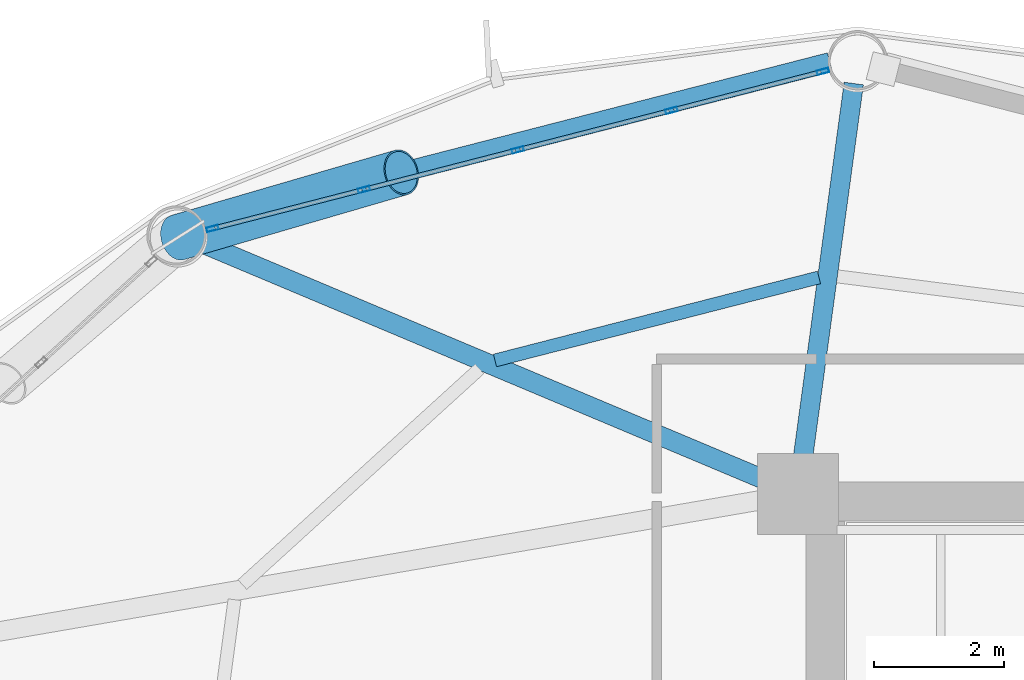
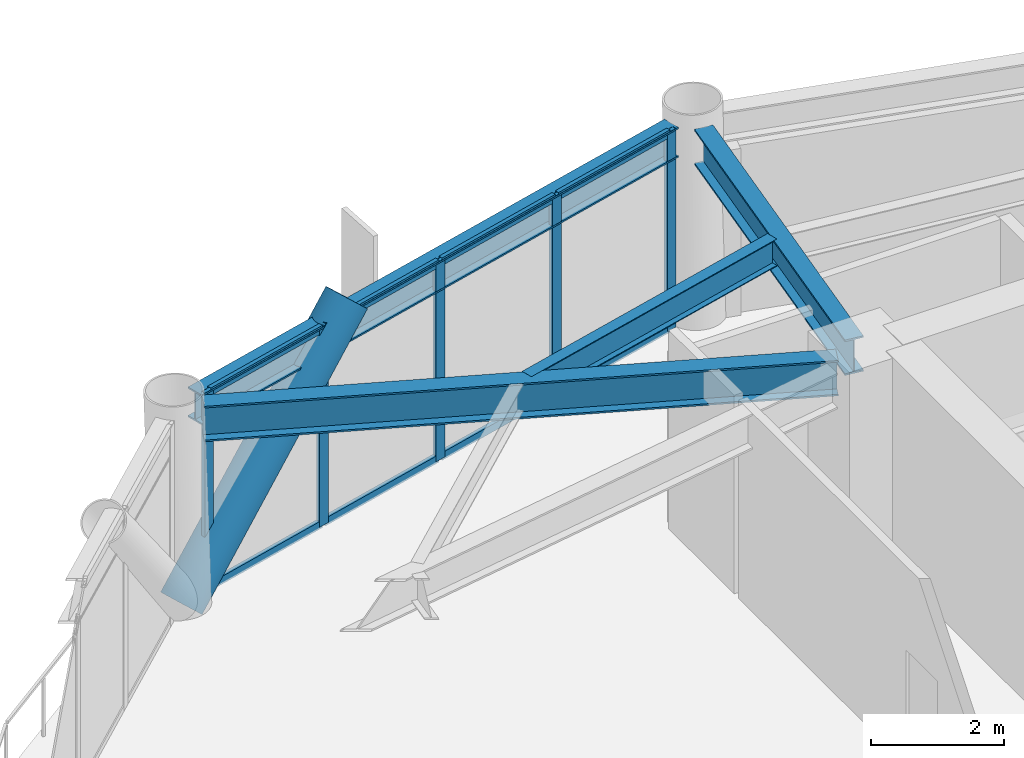
# One storey, part 17 of 26: 14 members, 4 beams, 1 element without a shape of its own.
"""IFC4 building model written with IfcOpenShell, lengths in metres."""

from ifc_helpers import new_model, si_unit, direction, frame, origin, origin_2d, place, context, subcontext, project, spatial, hollow_rectangle, hollow_circle, i_section, extrude, material, layer, layer_set, material_profile, profile_set, type_object, element, aggregate, save


model = new_model("IFC4")

# Units and contexts
model_context = context("Model", 3, precision=1e-05, world=origin(), true_north=direction((0.0, 1.0)))
body_context = subcontext(model_context, "Body", "Model", "MODEL_VIEW")
ifc_project = project(units=[si_unit("LENGTHUNIT", "METRE"), si_unit("AREAUNIT", "SQUARE_METRE"), si_unit("VOLUMEUNIT", "CUBIC_METRE"), si_unit("PLANEANGLEUNIT", "RADIAN"), si_unit("MASSUNIT", "GRAM", prefix="KILO")], contexts=[model_context])

# Site, building, storey
site_placement = place(None, origin())
site = spatial("IfcSite", under=ifc_project, at=site_placement, CompositionType="ELEMENT")
building_placement = place(site_placement, origin())
building = spatial("IfcBuilding", under=site, at=building_placement, Name="Varnakorn Sky Granary", CompositionType="ELEMENT")
storey_placement = place(building_placement, frame((0.0, 0.0, 51.0)))
storey = spatial("IfcBuildingStorey", under=building, at=storey_placement, Name="L12", CompositionType="ELEMENT", Elevation=51.0)

# Beams
ifc_material_1 = material(Name="Steel S355JR", Category="steel")
ifc_material_profile_1 = material_profile(ifc_material_1, i_section(OverallWidth=0.300048828125, OverallDepth=0.64990234375, WebThickness=0.01611328125, FlangeThickness=0.031005859375, at=origin_2d()), Name="HE 650 B")
ifc_profile_set_1 = profile_set([ifc_material_profile_1], Name="Steel S355JR")
beam_type_1 = type_object("IfcBeamType", Name="BM-RAD-Z1", PredefinedType="BEAM", material=ifc_profile_set_1)
beam_1_placement = place(storey_placement, frame((-2.36328125, 13.0361328125, 3.31494140625), z_axis=(0.134687789737, 0.990888086161, 0.0), x_axis=(-0.990888086161, 0.134687789737, 0.0)))
element("IfcBeam", 1, at=beam_1_placement, inside=storey, type_object=beam_type_1, Name="Radial Floor Girder RG04 L12", PredefinedType="BEAM", context=body_context, shape_type="SweptSolid", body=[
    extrude(i_section(OverallWidth=0.300048828125, OverallDepth=0.64990234375, WebThickness=0.01611328125, FlangeThickness=0.031005859375, at=origin_2d()), origin(), (0.0, 0.0, 1.0), 5.96728515625),
])
beam_2_placement = place(storey_placement, frame((-2.80712890625, 12.78271484375, 3.31494140625), z_axis=(-0.921838328081, 0.387574633949, 0.0), x_axis=(-0.387574633949, -0.921838328081, 0.0)))
element("IfcBeam", 2, at=beam_2_placement, inside=storey, type_object=beam_type_1, Name="Radial Floor Girder RG05 L12", PredefinedType="BEAM", context=body_context, shape_type="SweptSolid", body=[
    extrude(i_section(OverallWidth=0.300048828125, OverallDepth=0.64990234375, WebThickness=0.01611328125, FlangeThickness=0.031005859375, at=origin_2d()), origin(), (0.0, 0.0, 1.0), 9.594970703125),
])
ifc_material_profile_2 = material_profile(ifc_material_1, i_section(OverallWidth=0.199951171875, OverallDepth=0.5, WebThickness=0.01025390625, FlangeThickness=0.01611328125, at=origin_2d()), Name="IPE 500")
ifc_profile_set_2 = profile_set([ifc_material_profile_2], Name="Steel S355JR")
beam_type_2 = type_object("IfcBeamType", Name="BM-SEC-Z1", PredefinedType="BEAM", material=ifc_profile_set_2)
beam_3_placement = place(storey_placement, frame((-2.09716796875, 15.957763671875, 3.389892578125), z_axis=(-0.968686052287, -0.248288807852, 0.0), x_axis=(0.248288807852, -0.968686052287, 0.0)))
element("IfcBeam", 3, at=beam_3_placement, inside=storey, type_object=beam_type_2, Name="Secondary Floor Chord Beam MSB04 L12", PredefinedType="BEAM", context=body_context, shape_type="SweptSolid", body=[
    extrude(i_section(OverallWidth=0.199951171875, OverallDepth=0.5, WebThickness=0.01025390625, FlangeThickness=0.01611328125, at=origin_2d()), origin(), (0.0, 0.0, 1.0), 5.158447265625),
])
ifc_material_profile_3 = material_profile(ifc_material_1, i_section(OverallWidth=0.300048828125, OverallDepth=0.550048828125, WebThickness=0.014892578125, FlangeThickness=0.029052734375, at=origin_2d()), Name="HE 550 B")
ifc_profile_set_3 = profile_set([ifc_material_profile_3], Name="Steel S355JR")
beam_type_3 = type_object("IfcBeamType", Name="BM-SPD-Z1", PredefinedType="SPANDREL", material=ifc_profile_set_3)
beam_4_placement = place(storey_placement, frame((-1.927978515625, 19.277099609375, 3.364990234375), z_axis=(-0.968511401947, -0.248969203515, 0.0), x_axis=(0.248969203515, -0.968511401947, 0.0)))
element("IfcBeam", 4, at=beam_4_placement, inside=storey, type_object=beam_type_3, Name="Perimeter Spandrel Ring Beam RB04 L12", PredefinedType="SPANDREL", context=body_context, shape_type="SweptSolid", body=[
    extrude(i_section(OverallWidth=0.300048828125, OverallDepth=0.550048828125, WebThickness=0.014892578125, FlangeThickness=0.029052734375, at=origin_2d()), origin(), (0.0, 0.0, 1.0), 10.018798828125),
])

# Curtain wall, members
ifc_material_2 = material(Name="Anodised Bronze Aluminium Alloy 6063-T6", Category="aluminium")
ifc_layer = layer(ifc_material_2, 0.18994140625, Name="Anodised Bronze Aluminium Alloy 6063-T6")
ifc_layer_set = layer_set([ifc_layer], Name="Anodised Bronze Aluminium Alloy 6063-T6")
curtain_wall_type = type_object("IfcCurtainWallType", Name="CW-FRM-1", PredefinedType="USERDEFINED", material=ifc_layer_set)
curtain_wall_placement = place(storey_placement, origin())
curtain_wall = element("IfcCurtainWall", 5, at=curtain_wall_placement, inside=storey, type_object=curtain_wall_type, Name="Unitised Curtain Wall CW3 CW-L12-B04", ObjectType="CURTAIN WALL", PredefinedType="USERDEFINED")
ifc_material_profile_4 = material_profile(ifc_material_2, hollow_rectangle(XDim=0.070068359375, YDim=0.18505859375, WallThickness=0.00390625, at=origin_2d()), Name="ALU MULL 70x185")
ifc_profile_set_4 = profile_set([ifc_material_profile_4], Name="Anodised Bronze Aluminium Alloy 6063-T6")
member_type_1 = type_object("IfcMemberType", Name="CW-FRM-1-MULL", PredefinedType="MULLION", material=ifc_profile_set_4)
member_1_placement = place(storey_placement, frame((-11.451904296875, 16.711669921875, 0.0), z_axis=(0.0, 0.0, 1.0), x_axis=(-0.2492492625, 0.968439365755, 0.0)))
member_1 = element("IfcMember", 6, at=member_1_placement, type_object=member_type_1, Name="CW3 mullion 1", PredefinedType="MULLION", context=body_context, shape_type="SweptSolid", body=[
    extrude(hollow_rectangle(XDim=0.070068359375, YDim=0.18505859375, WallThickness=0.00390625, at=origin_2d()), origin(), (0.0, 0.0, 1.0), 3.639892578125),
])
member_2_placement = place(storey_placement, frame((-9.114501953125, 17.313232421875, 0.0), z_axis=(0.0, 0.0, 1.0), x_axis=(-0.2492492625, 0.968439365755, 0.0)))
member_2 = element("IfcMember", 7, at=member_2_placement, type_object=member_type_1, Name="CW3 mullion 2", PredefinedType="MULLION", context=body_context, shape_type="SweptSolid", body=[
    extrude(hollow_rectangle(XDim=0.070068359375, YDim=0.18505859375, WallThickness=0.00390625, at=origin_2d()), origin(), (0.0, 0.0, 1.0), 3.639892578125),
])
member_3_placement = place(storey_placement, frame((-6.7431640625, 17.923583984375, 0.0), z_axis=(0.0, 0.0, 1.0), x_axis=(-0.2492492625, 0.968439365755, 0.0)))
member_3 = element("IfcMember", 8, at=member_3_placement, type_object=member_type_1, Name="CW3 mullion 3", PredefinedType="MULLION", context=body_context, shape_type="SweptSolid", body=[
    extrude(hollow_rectangle(XDim=0.070068359375, YDim=0.18505859375, WallThickness=0.00390625, at=origin_2d()), origin(), (0.0, 0.0, 1.0), 3.639892578125),
])
member_4_placement = place(storey_placement, frame((-4.3720703125, 18.53369140625, 0.0), z_axis=(0.0, 0.0, 1.0), x_axis=(-0.2492492625, 0.968439365755, 0.0)))
member_4 = element("IfcMember", 9, at=member_4_placement, type_object=member_type_1, Name="CW3 mullion 4", PredefinedType="MULLION", context=body_context, shape_type="SweptSolid", body=[
    extrude(hollow_rectangle(XDim=0.070068359375, YDim=0.18505859375, WallThickness=0.00390625, at=origin_2d()), origin(), (0.0, 0.0, 1.0), 3.639892578125),
])
member_5_placement = place(storey_placement, frame((-2.03466796875, 19.135498046875, 0.0), z_axis=(0.0, 0.0, 1.0), x_axis=(-0.2492492625, 0.968439365755, 0.0)))
member_5 = element("IfcMember", 10, at=member_5_placement, type_object=member_type_1, Name="CW3 mullion 5", PredefinedType="MULLION", context=body_context, shape_type="SweptSolid", body=[
    extrude(hollow_rectangle(XDim=0.070068359375, YDim=0.18505859375, WallThickness=0.00390625, at=origin_2d()), origin(), (0.0, 0.0, 1.0), 3.639892578125),
])
ifc_material_profile_5 = material_profile(ifc_material_2, hollow_rectangle(XDim=0.070068359375, YDim=0.139892578125, WallThickness=0.00341796875, at=origin_2d()), Name="ALU TRAN 70x140")
ifc_profile_set_5 = profile_set([ifc_material_profile_5], Name="Anodised Bronze Aluminium Alloy 6063-T6")
member_type_2 = type_object("IfcMemberType", Name="CW-FRM-1-TRAN", PredefinedType="USERDEFINED", material=ifc_profile_set_5)
member_6_placement = place(storey_placement, frame((-11.41796875, 16.720458984375, 0.034912109375), z_axis=(0.96845271594, 0.249197385599, 0.0), x_axis=(-0.249197385599, 0.96845271594, 0.0)))
member_6 = element("IfcMember", 11, at=member_6_placement, type_object=member_type_2, Name="CW3 transom 1.1", ObjectType="TRANSOM", PredefinedType="USERDEFINED", context=body_context, shape_type="SweptSolid", body=[
    extrude(hollow_rectangle(XDim=0.070068359375, YDim=0.139892578125, WallThickness=0.00341796875, at=origin_2d()), origin(), (0.0, 0.0, 1.0), 2.343505859375),
])
member_7_placement = place(storey_placement, frame((-11.41796875, 16.720458984375, 3.60498046875), z_axis=(0.96845271594, 0.249197385599, 0.0), x_axis=(-0.249197385599, 0.96845271594, 0.0)))
member_7 = element("IfcMember", 12, at=member_7_placement, type_object=member_type_2, Name="CW3 transom 1.2", ObjectType="TRANSOM", PredefinedType="USERDEFINED", context=body_context, shape_type="SweptSolid", body=[
    extrude(hollow_rectangle(XDim=0.070068359375, YDim=0.139892578125, WallThickness=0.00341796875, at=origin_2d()), origin(), (0.0, 0.0, 1.0), 2.343505859375),
])
member_8_placement = place(storey_placement, frame((-9.08056640625, 17.322021484375, 0.034912109375), z_axis=(0.968446938458, 0.249219837475, 0.0), x_axis=(-0.249219837475, 0.968446938458, 0.0)))
member_8 = element("IfcMember", 13, at=member_8_placement, type_object=member_type_2, Name="CW3 transom 2.1", ObjectType="TRANSOM", PredefinedType="USERDEFINED", context=body_context, shape_type="SweptSolid", body=[
    extrude(hollow_rectangle(XDim=0.070068359375, YDim=0.139892578125, WallThickness=0.00341796875, at=origin_2d()), origin(), (0.0, 0.0, 1.0), 2.37841796875),
])
member_9_placement = place(storey_placement, frame((-9.08056640625, 17.322021484375, 3.60498046875), z_axis=(0.968446938458, 0.249219837475, 0.0), x_axis=(-0.249219837475, 0.968446938458, 0.0)))
member_9 = element("IfcMember", 14, at=member_9_placement, type_object=member_type_2, Name="CW3 transom 2.2", ObjectType="TRANSOM", PredefinedType="USERDEFINED", context=body_context, shape_type="SweptSolid", body=[
    extrude(hollow_rectangle(XDim=0.070068359375, YDim=0.139892578125, WallThickness=0.00341796875, at=origin_2d()), origin(), (0.0, 0.0, 1.0), 2.37841796875),
])
member_10_placement = place(storey_placement, frame((-6.70947265625, 17.93212890625, 0.034912109375), z_axis=(0.968428539612, 0.249291322882, 0.0), x_axis=(-0.249291322882, 0.968428539612, 0.0)))
member_10 = element("IfcMember", 15, at=member_10_placement, type_object=member_type_2, Name="CW3 transom 3.1", ObjectType="TRANSOM", PredefinedType="USERDEFINED", context=body_context, shape_type="SweptSolid", body=[
    extrude(hollow_rectangle(XDim=0.070068359375, YDim=0.139892578125, WallThickness=0.00341796875, at=origin_2d()), origin(), (0.0, 0.0, 1.0), 2.37890625),
])
member_11_placement = place(storey_placement, frame((-6.70947265625, 17.93212890625, 3.60498046875), z_axis=(0.968428539612, 0.249291322882, 0.0), x_axis=(-0.249291322882, 0.968428539612, 0.0)))
member_11 = element("IfcMember", 16, at=member_11_placement, type_object=member_type_2, Name="CW3 transom 3.2", ObjectType="TRANSOM", PredefinedType="USERDEFINED", context=body_context, shape_type="SweptSolid", body=[
    extrude(hollow_rectangle(XDim=0.070068359375, YDim=0.139892578125, WallThickness=0.00341796875, at=origin_2d()), origin(), (0.0, 0.0, 1.0), 2.37890625),
])
member_12_placement = place(storey_placement, frame((-4.338134765625, 18.54248046875, 0.034912109375), z_axis=(0.96842756941, 0.249295091824, 0.0), x_axis=(-0.249295091824, 0.96842756941, 0.0)))
member_12 = element("IfcMember", 17, at=member_12_placement, type_object=member_type_2, Name="CW3 transom 4.1", ObjectType="TRANSOM", PredefinedType="USERDEFINED", context=body_context, shape_type="SweptSolid", body=[
    extrude(hollow_rectangle(XDim=0.070068359375, YDim=0.139892578125, WallThickness=0.00341796875, at=origin_2d()), origin(), (0.0, 0.0, 1.0), 2.343505859375),
])
member_13_placement = place(storey_placement, frame((-4.338134765625, 18.54248046875, 3.60498046875), z_axis=(0.96842756941, 0.249295091824, 0.0), x_axis=(-0.249295091824, 0.96842756941, 0.0)))
member_13 = element("IfcMember", 18, at=member_13_placement, type_object=member_type_2, Name="CW3 transom 4.2", ObjectType="TRANSOM", PredefinedType="USERDEFINED", context=body_context, shape_type="SweptSolid", body=[
    extrude(hollow_rectangle(XDim=0.070068359375, YDim=0.139892578125, WallThickness=0.00341796875, at=origin_2d()), origin(), (0.0, 0.0, 1.0), 2.343505859375),
])
aggregate(curtain_wall, [member_1, member_2, member_3, member_4, member_5, member_6, member_7, member_8, member_9, member_10, member_11, member_12, member_13])

# Member
ifc_material_3 = material(Name="Steel S460M", Category="steel")
ifc_material_profile_6 = material_profile(ifc_material_3, hollow_circle(Radius=0.35546875, WallThickness=0.02490234375, at=origin_2d()), Name="CHS 711x25")
ifc_profile_set_6 = profile_set([ifc_material_profile_6], Name="Steel S460M")
member_type_3 = type_object("IfcMemberType", Name="MB-DIAG-T0", PredefinedType="BRACE", material=ifc_profile_set_6)
member_14_placement = place(storey_placement, frame((-11.986572265625, 16.573974609375, 0.0), z_axis=(0.660264400356, 0.192214668187, 0.726019588549), x_axis=(-0.279514221487, 0.960141552057, 0.0)))
element("IfcMember", 19, at=member_14_placement, inside=storey, type_object=member_type_3, Name="Perimeter CHS Diagrid Brace DG04 L12", PredefinedType="BRACE", context=body_context, shape_type="SweptSolid", body=[
    extrude(hollow_circle(Radius=0.35546875, WallThickness=0.02490234375, at=origin_2d()), origin(), (0.0, 0.0, 1.0), 5.22021484375),
])

save(model, "model.ifc")
